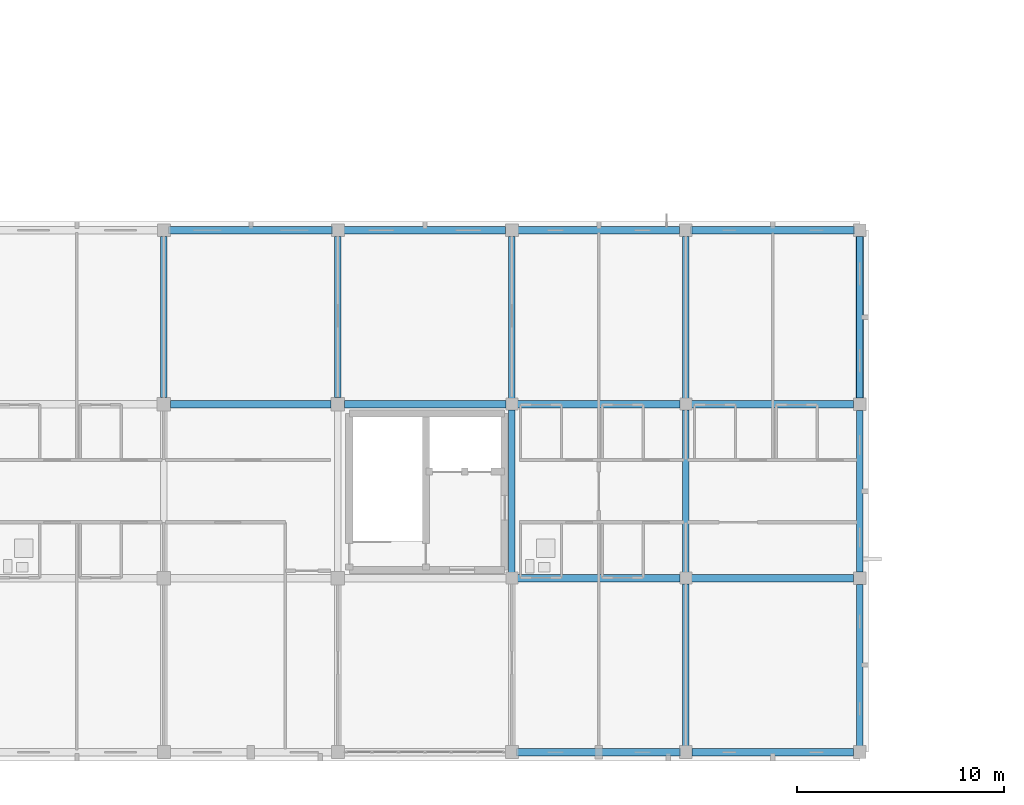
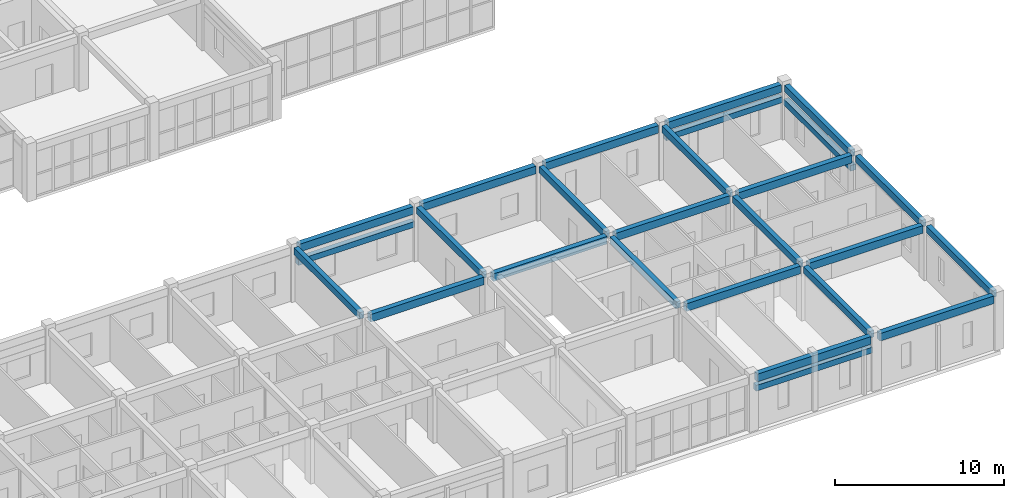
# One storey, part 24 of 81: 26 beams.
"""IFC4 building model written with IfcOpenShell, lengths in metres."""

from ifc_helpers import new_model, si_unit, direction, frame, origin, origin_2d, place, context, subcontext, project, spatial, rectangle, extrude, material, material_profile, profile_set, type_object, element, save


model = new_model("IFC4")

# Units and contexts
model_context = context("Model", 3, precision=1e-05, world=origin(), true_north=direction((0.0, 1.0)))
body_context = subcontext(model_context, "Body", "Model", "MODEL_VIEW")
ifc_project = project(units=[si_unit("LENGTHUNIT", "METRE"), si_unit("AREAUNIT", "SQUARE_METRE"), si_unit("VOLUMEUNIT", "CUBIC_METRE"), si_unit("PLANEANGLEUNIT", "RADIAN"), si_unit("MASSUNIT", "GRAM", prefix="KILO")], contexts=[model_context])

# Site, building, storey
site_placement = place(None, origin())
site = spatial("IfcSite", under=ifc_project, at=site_placement, CompositionType="ELEMENT")
building_placement = place(site_placement, origin())
building = spatial("IfcBuilding", under=site, at=building_placement, Name="Trelvath General Hospital", CompositionType="ELEMENT")
storey_placement = place(building_placement, frame((0.0, 0.0, 24.60009765625)))
storey = spatial("IfcBuildingStorey", under=building, at=storey_placement, Name="L06", CompositionType="ELEMENT", Elevation=24.60009765625)

# Beams
ifc_material_1 = material(Name="Concrete C35/45", Category="concrete")
ifc_material_profile_1 = material_profile(ifc_material_1, rectangle(XDim=0.320068359375, YDim=0.47998046875, at=origin_2d()), Name="RCB320x480")
ifc_profile_set_1 = profile_set([ifc_material_profile_1], Name="Concrete C35/45")
beam_type_1 = type_object("IfcBeamType", Name="Beam RC320x480", PredefinedType="BEAM", material=ifc_profile_set_1)
for number, where, z_axis, x_axis, name in (
    (1, (84.0, 17.1201171875, 3.679931640625), (0.0, 1.0, 0.0), (-1.0, 0.0, 0.0), "Grid Beam BY-610C"),
    (2, (92.39990234375, 17.1201171875, 3.679931640625), (0.0, 1.0, 0.0), (-1.0, 0.0, 0.0), "Grid Beam BY-611C"),
):
    element("IfcBeam", number, at=place(storey_placement, frame(where, z_axis=z_axis, x_axis=x_axis)), inside=storey, type_object=beam_type_1, Name=name, PredefinedType="BEAM", context=body_context, shape_type="SweptSolid", body=[
        extrude(rectangle(XDim=0.320068359375, YDim=0.47998046875, at=origin_2d()), origin(), (0.0, 0.0, 1.0), 7.77490234375),
    ])
beam_1_placement = place(storey_placement, frame((100.800048828125, 8.68505859375, 3.679931640625), z_axis=(0.0, 1.0, 0.0), x_axis=(-1.0, 0.0, 0.0)))
element("IfcBeam", 3, at=beam_1_placement, inside=storey, type_object=beam_type_1, Name="Grid Beam BY-612B", PredefinedType="BEAM", context=body_context, shape_type="SweptSolid", body=[
    extrude(rectangle(XDim=0.320068359375, YDim=0.47998046875, at=origin_2d()), origin(), (0.0, 0.0, 1.0), 7.829833984375),
])
for number, where, z_axis, x_axis, name in (
    (4, (100.800048828125, 17.0849609375, 3.679931640625), (0.0, 1.0, 0.0), (-1.0, 0.0, 0.0), "Grid Beam BY-612C"),
    (5, (109.199951171875, 0.304931640625, 3.679931640625), (0.0, 1.0, 0.0), (-1.0, 0.0, 0.0), "Grid Beam BY-613A"),
):
    element("IfcBeam", number, at=place(storey_placement, frame(where, z_axis=z_axis, x_axis=x_axis)), inside=storey, type_object=beam_type_1, Name=name, PredefinedType="BEAM", context=body_context, shape_type="SweptSolid", body=[
        extrude(rectangle(XDim=0.320068359375, YDim=0.47998046875, at=origin_2d()), origin(), (0.0, 0.0, 1.0), 7.81005859375),
    ])
beam_2_placement = place(storey_placement, frame((109.199951171875, 8.68505859375, 3.679931640625), z_axis=(0.0, 1.0, 0.0), x_axis=(-1.0, 0.0, 0.0)))
element("IfcBeam", 6, at=beam_2_placement, inside=storey, type_object=beam_type_1, Name="Grid Beam BY-613B", PredefinedType="BEAM", context=body_context, shape_type="SweptSolid", body=[
    extrude(rectangle(XDim=0.320068359375, YDim=0.47998046875, at=origin_2d()), origin(), (0.0, 0.0, 1.0), 7.829833984375),
])
beam_3_placement = place(storey_placement, frame((109.199951171875, 17.0849609375, 3.679931640625), z_axis=(0.0, 1.0, 0.0), x_axis=(-1.0, 0.0, 0.0)))
element("IfcBeam", 7, at=beam_3_placement, inside=storey, type_object=beam_type_1, Name="Grid Beam BY-613C", PredefinedType="BEAM", context=body_context, shape_type="SweptSolid", body=[
    extrude(rectangle(XDim=0.320068359375, YDim=0.47998046875, at=origin_2d()), origin(), (0.0, 0.0, 1.0), 7.81005859375),
])
for number, where, z_axis, x_axis, name in (
    (8, (117.60009765625, 0.304931640625, 3.679931640625), (0.0, 1.0, 0.0), (-1.0, 0.0, 0.0), "Grid Beam BY-614A"),
    (9, (117.60009765625, 8.705078125, 3.679931640625), (0.0, 1.0, 0.0), (-1.0, 0.0, 0.0), "Grid Beam BY-614B"),
    (10, (117.60009765625, 17.10498046875, 3.679931640625), (0.0, 1.0, 0.0), (-1.0, 0.0, 0.0), "Grid Beam BY-614C"),
):
    element("IfcBeam", number, at=place(storey_placement, frame(where, z_axis=z_axis, x_axis=x_axis)), inside=storey, type_object=beam_type_1, Name=name, PredefinedType="BEAM", context=body_context, shape_type="SweptSolid", body=[
        extrude(rectangle(XDim=0.320068359375, YDim=0.47998046875, at=origin_2d()), origin(), (0.0, 0.0, 1.0), 7.7900390625),
    ])
ifc_material_2 = material(Name="Concrete C35/45", Category="concrete")
ifc_material_profile_2 = material_profile(ifc_material_2, rectangle(XDim=0.35009765625, YDim=0.550048828125, at=origin_2d()), Name="RCB350x550")
ifc_profile_set_2 = profile_set([ifc_material_profile_2], Name="Concrete C35/45")
beam_type_2 = type_object("IfcBeamType", Name="Beam RC350x550", PredefinedType="BEAM", material=ifc_profile_set_2)
beam_4_placement = place(storey_placement, frame((84.320068359375, 16.800048828125, 3.64501953125), z_axis=(1.0, 0.0, 0.0), x_axis=(0.0, 1.0, 0.0)))
element("IfcBeam", 11, at=beam_4_placement, inside=storey, type_object=beam_type_2, Name="Grid Beam BX-610C", PredefinedType="BEAM", context=body_context, shape_type="SweptSolid", body=[
    extrude(rectangle(XDim=0.35009765625, YDim=0.550048828125, at=origin_2d()), origin(), (0.0, 0.0, 1.0), 7.760009765625),
])
beam_5_placement = place(storey_placement, frame((84.304931640625, 25.199951171875, 3.64501953125), z_axis=(1.0, 0.0, 0.0), x_axis=(0.0, 1.0, 0.0)))
element("IfcBeam", 12, at=beam_5_placement, inside=storey, type_object=beam_type_2, Name="Grid Beam BX-610D", PredefinedType="BEAM", context=body_context, shape_type="SweptSolid", body=[
    extrude(rectangle(XDim=0.35009765625, YDim=0.550048828125, at=origin_2d()), origin(), (0.0, 0.0, 1.0), 7.7900390625),
])
beam_6_placement = place(storey_placement, frame((92.719970703125, 16.800048828125, 3.64501953125), z_axis=(1.0, 0.0, 0.0), x_axis=(0.0, 1.0, 0.0)))
element("IfcBeam", 13, at=beam_6_placement, inside=storey, type_object=beam_type_2, Name="Grid Beam BX-611C", PredefinedType="BEAM", context=body_context, shape_type="SweptSolid", body=[
    extrude(rectangle(XDim=0.35009765625, YDim=0.550048828125, at=origin_2d()), origin(), (0.0, 0.0, 1.0), 7.794921875),
])
for number, where, z_axis, x_axis, name in (
    (14, (92.705078125, 25.199951171875, 3.64501953125), (1.0, 0.0, 0.0), (0.0, 1.0, 0.0), "Grid Beam BX-611D"),
    (15, (101.10498046875, 0.0, 3.64501953125), (1.0, 0.0, 0.0), (0.0, 1.0, 0.0), "Grid Beam BX-612A"),
):
    element("IfcBeam", number, at=place(storey_placement, frame(where, z_axis=z_axis, x_axis=x_axis)), inside=storey, type_object=beam_type_2, Name=name, PredefinedType="BEAM", context=body_context, shape_type="SweptSolid", body=[
        extrude(rectangle(XDim=0.35009765625, YDim=0.550048828125, at=origin_2d()), origin(), (0.0, 0.0, 1.0), 7.7900390625),
    ])
for number, where, z_axis, x_axis, name in (
    (16, (101.0849609375, 8.39990234375, 3.64501953125), (1.0, 0.0, 0.0), (0.0, 1.0, 0.0), "Grid Beam BX-612B"),
    (17, (101.0849609375, 16.800048828125, 3.64501953125), (1.0, 0.0, 0.0), (0.0, 1.0, 0.0), "Grid Beam BX-612C"),
):
    element("IfcBeam", number, at=place(storey_placement, frame(where, z_axis=z_axis, x_axis=x_axis)), inside=storey, type_object=beam_type_2, Name=name, PredefinedType="BEAM", context=body_context, shape_type="SweptSolid", body=[
        extrude(rectangle(XDim=0.35009765625, YDim=0.550048828125, at=origin_2d()), origin(), (0.0, 0.0, 1.0), 7.830078125),
    ])
for number, where, z_axis, x_axis, name in (
    (18, (101.10498046875, 25.199951171875, 3.64501953125), (1.0, 0.0, 0.0), (0.0, 1.0, 0.0), "Grid Beam BX-612D"),
    (19, (109.5048828125, 0.0, 3.64501953125), (1.0, 0.0, 0.0), (0.0, 1.0, 0.0), "Grid Beam BX-613A"),
):
    element("IfcBeam", number, at=place(storey_placement, frame(where, z_axis=z_axis, x_axis=x_axis)), inside=storey, type_object=beam_type_2, Name=name, PredefinedType="BEAM", context=body_context, shape_type="SweptSolid", body=[
        extrude(rectangle(XDim=0.35009765625, YDim=0.550048828125, at=origin_2d()), origin(), (0.0, 0.0, 1.0), 7.7900390625),
    ])
for number, where, z_axis, x_axis, name in (
    (20, (109.485107421875, 8.39990234375, 3.64501953125), (1.0, 0.0, 0.0), (0.0, 1.0, 0.0), "Grid Beam BX-613B"),
    (21, (109.485107421875, 16.800048828125, 3.64501953125), (1.0, 0.0, 0.0), (0.0, 1.0, 0.0), "Grid Beam BX-613C"),
):
    element("IfcBeam", number, at=place(storey_placement, frame(where, z_axis=z_axis, x_axis=x_axis)), inside=storey, type_object=beam_type_2, Name=name, PredefinedType="BEAM", context=body_context, shape_type="SweptSolid", body=[
        extrude(rectangle(XDim=0.35009765625, YDim=0.550048828125, at=origin_2d()), origin(), (0.0, 0.0, 1.0), 7.809814453125),
    ])
beam_7_placement = place(storey_placement, frame((109.5048828125, 25.199951171875, 3.64501953125), z_axis=(1.0, 0.0, 0.0), x_axis=(0.0, 1.0, 0.0)))
element("IfcBeam", 22, at=beam_7_placement, inside=storey, type_object=beam_type_2, Name="Grid Beam BX-613D", PredefinedType="BEAM", context=body_context, shape_type="SweptSolid", body=[
    extrude(rectangle(XDim=0.35009765625, YDim=0.550048828125, at=origin_2d()), origin(), (0.0, 0.0, 1.0), 7.7900390625),
])
ifc_material_3 = material(Name="Precast concrete C40/50", Category="concrete")
ifc_material_profile_3 = material_profile(ifc_material_3, rectangle(XDim=0.35009765625, YDim=0.419921875, at=origin_2d()), Name="PCL350x420")
ifc_profile_set_3 = profile_set([ifc_material_profile_3], Name="Precast concrete C40/50")
beam_type_3 = type_object("IfcBeamType", Name="Lintel PC350x420", PredefinedType="LINTEL", material=ifc_profile_set_3)
beam_8_placement = place(storey_placement, frame((84.22509765625, 25.199951171875, 2.619873046875), z_axis=(1.0, 0.0, 0.0), x_axis=(0.0, 1.0, 0.0)))
element("IfcBeam", 23, at=beam_8_placement, inside=storey, type_object=beam_type_3, Name="Precast Window Brow Lintel L06-582", PredefinedType="LINTEL", context=body_context, shape_type="SweptSolid", body=[
    extrude(rectangle(XDim=0.35009765625, YDim=0.419921875, at=origin_2d()), origin(), (0.0, 0.0, 1.0), 7.949951171875),
])
beam_9_placement = place(storey_placement, frame((108.97509765625, 0.0, 2.919921875), z_axis=(-1.0, 0.0, 0.0), x_axis=(0.0, -1.0, 0.0)))
element("IfcBeam", 24, at=beam_9_placement, inside=storey, type_object=beam_type_3, Name="Precast Window Brow Lintel L06-590", PredefinedType="LINTEL", context=body_context, shape_type="SweptSolid", body=[
    extrude(rectangle(XDim=0.35009765625, YDim=0.419921875, at=origin_2d()), origin(), (0.0, 0.0, 1.0), 7.9501953125),
])
beam_10_placement = place(storey_placement, frame((109.425048828125, 25.199951171875, 2.81982421875), z_axis=(1.0, 0.0, 0.0), x_axis=(0.0, 1.0, 0.0)))
element("IfcBeam", 25, at=beam_10_placement, inside=storey, type_object=beam_type_3, Name="Precast Window Brow Lintel L06-597", PredefinedType="LINTEL", context=body_context, shape_type="SweptSolid", body=[
    extrude(rectangle(XDim=0.35009765625, YDim=0.419921875, at=origin_2d()), origin(), (0.0, 0.0, 1.0), 7.949951171875),
])
beam_11_placement = place(storey_placement, frame((117.60009765625, 24.97509765625, 2.669921875), z_axis=(0.0, -1.0, 0.0), x_axis=(1.0, 0.0, 0.0)))
element("IfcBeam", 26, at=beam_11_placement, inside=storey, type_object=beam_type_3, Name="Precast Window Brow Lintel L06-598", PredefinedType="LINTEL", context=body_context, shape_type="SweptSolid", body=[
    extrude(rectangle(XDim=0.35009765625, YDim=0.419921875, at=origin_2d()), origin(), (0.0, 0.0, 1.0), 7.9501953125),
])

save(model, "model.ifc")
